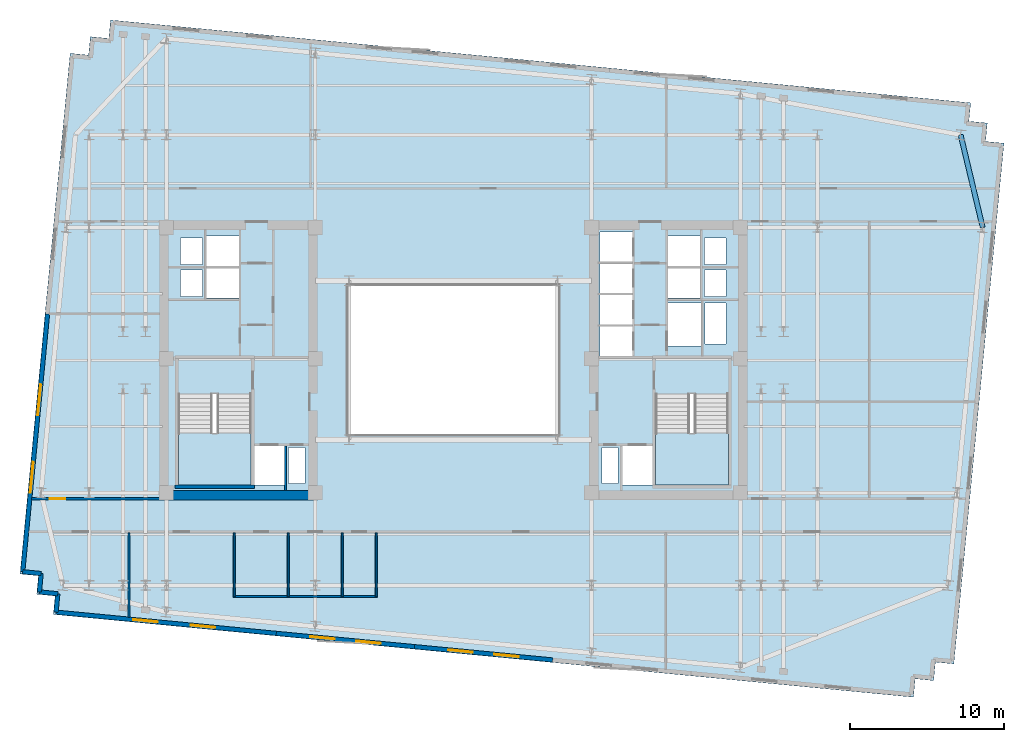
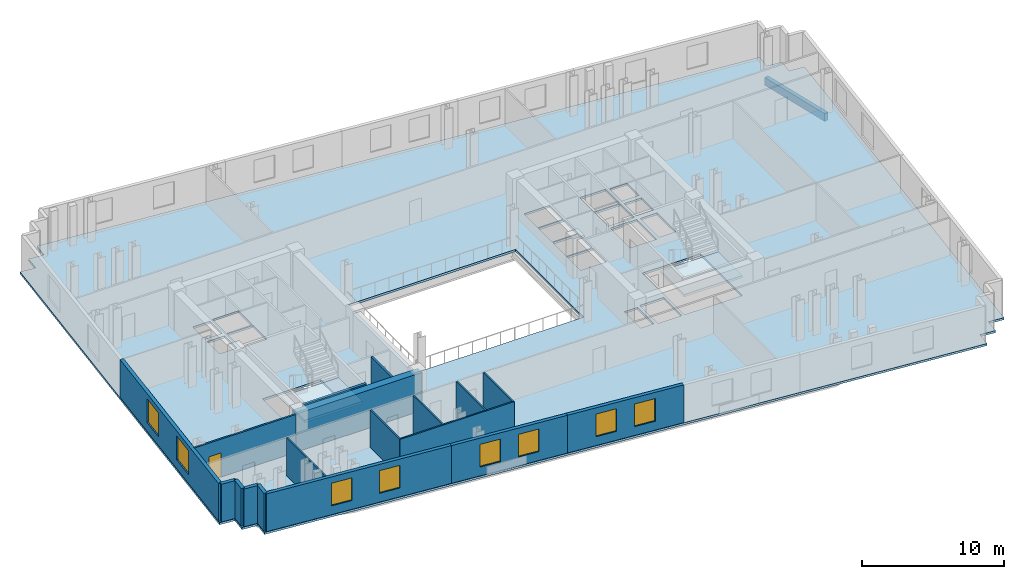
# One storey, part 3 of 9: 18 walls, 8 windows, 3 slabs, 1 beam, 1 door, 9 openings, 2 elements without a shape of their own.
"""IFC4 building model written with IfcOpenShell, lengths in metres."""

from ifc_helpers import new_model, si_unit, direction, frame, frame_2d, origin, origin_2d, place, context, subcontext, project, spatial, polyline, rectangle, outline, extrude, material, layer, layer_set, material_profile, profile_set, type_object, element, fill, aggregate, save


model = new_model("IFC4")

# Units and contexts
model_context = context("Model", 3, precision=1e-05, world=origin(), true_north=direction((0.0, 1.0)))
body_context = subcontext(model_context, "Body", "Model", "MODEL_VIEW")
ifc_project = project(units=[si_unit("LENGTHUNIT", "METRE"), si_unit("AREAUNIT", "SQUARE_METRE"), si_unit("VOLUMEUNIT", "CUBIC_METRE"), si_unit("PLANEANGLEUNIT", "RADIAN"), si_unit("MASSUNIT", "GRAM", prefix="KILO")], contexts=[model_context])

# Site, building, storey
site_placement = place(None, origin())
site = spatial("IfcSite", under=ifc_project, at=site_placement, CompositionType="ELEMENT")
building_placement = place(site_placement, origin())
building = spatial("IfcBuilding", under=site, at=building_placement, Name="Velakula Bourse", CompositionType="ELEMENT")
storey_placement = place(building_placement, frame((0.0, 0.0, 163.85009765625)))
storey = spatial("IfcBuildingStorey", under=building, at=storey_placement, Name="L44", CompositionType="ELEMENT", Elevation=163.85009765625)

# Beam
ifc_material_1 = material(Name="Precast concrete M45 (fck 45 MPa)", Category="concrete")
ifc_material_profile = material_profile(ifc_material_1, rectangle(XDim=0.320068359375, YDim=0.679931640625, at=origin_2d()), Name="Precast concrete M45 (fck 45 MPa)")
ifc_profile_set = profile_set([ifc_material_profile], Name="Precast concrete M45 (fck 45 MPa)")
beam_type = type_object("IfcBeamType", Name="SPN-BRICK-680", PredefinedType="SPANDREL", material=ifc_profile_set)
beam_placement = place(storey_placement, frame((34.30517578125, 8.60009765625, -0.52001953125), z_axis=(-0.232091371601, 0.972693988482, 0.0), x_axis=(-0.972693988482, -0.232091371601, 0.0)))
element("IfcBeam", 1, at=beam_placement, inside=storey, type_object=beam_type, Name="L44 Brick-Faced Precast Spandrel E3-E4", PredefinedType="SPANDREL", context=body_context, shape_type="SweptSolid", body=[
    extrude(rectangle(XDim=0.320068359375, YDim=0.679931640625, at=origin_2d()), origin(), (0.0, 0.0, 1.0), 6.16845703125),
])

# Stair, slab
ifc_material_2 = material(Name="Concrete M45 (fck 45 MPa)", Category="concrete")
stair_type = type_object("IfcStairType", Name="STR-DOG-390", PredefinedType="HALF_TURN_STAIR", material=ifc_material_2)
stair_1_placement = place(storey_placement, origin())
stair_1 = element("IfcStair", 2, at=stair_1_placement, inside=storey, type_object=stair_type, Name="L44 West Core Exit Stair ST-W1", PredefinedType="HALF_TURN_STAIR")
ifc_layer_1 = layer(ifc_material_2, 0.199951171875, Name="Concrete M45 (fck 45 MPa)", Category="concrete")
ifc_layer_set_1 = layer_set([ifc_layer_1], Name="Concrete M45 (fck 45 MPa)")
slab_type_1 = type_object("IfcSlabType", Name="SLB-STAIR-LND-200", PredefinedType="LANDING", material=ifc_layer_set_1)
slab_1_placement = place(storey_placement, frame((0.0, 0.0, 1.52490234375)))
slab_1 = element("IfcSlab", 3, at=slab_1_placement, type_object=slab_type_1, Name="ST-W1 landing 1", PredefinedType="LANDING", context=body_context, shape_type="SweptSolid", body=[
    extrude(outline(polyline([(-17.820068359375, -4.719970703125), (-17.820068359375, -8.10009765625), (-13.10009765625, -8.10009765625), (-13.10009765625, -4.719970703125), (-17.820068359375, -4.719970703125)])), origin(), (0.0, 0.0, 1.0), 0.199951171875),
])
aggregate(stair_1, [slab_1])

stair_2_placement = place(storey_placement, origin())
stair_2 = element("IfcStair", 4, at=stair_2_placement, inside=storey, type_object=stair_type, Name="L44 East Core Exit Stair ST-E1", PredefinedType="HALF_TURN_STAIR")
slab_2_placement = place(storey_placement, frame((0.0, 0.0, 1.52490234375)))
slab_2 = element("IfcSlab", 5, at=slab_2_placement, type_object=slab_type_1, Name="ST-E1 landing 1", PredefinedType="LANDING", context=body_context, shape_type="SweptSolid", body=[
    extrude(outline(polyline([(13.10009765625, -4.719970703125), (13.10009765625, -8.10009765625), (17.820068359375, -8.10009765625), (17.820068359375, -4.719970703125), (13.10009765625, -4.719970703125)])), origin(), (0.0, 0.0, 1.0), 0.199951171875),
])
aggregate(stair_2, [slab_2])

# Slab
ifc_material_3 = material(Name="Concrete M50 (fck 50 MPa)", Category="concrete")
ifc_layer_2 = layer(ifc_material_3, 0.179931640625, Name="Concrete M50 (fck 50 MPa)", Category="concrete")
ifc_layer_set_2 = layer_set([ifc_layer_2], Name="Concrete M50 (fck 50 MPa)")
slab_type_2 = type_object("IfcSlabType", Name="SLB-TWR-180", PredefinedType="FLOOR", material=ifc_layer_set_2)
slab_3_placement = place(storey_placement, frame((0.0, 0.0, -0.18017578125)))
element("IfcSlab", 6, at=slab_3_placement, inside=storey, type_object=slab_type_2, Name="L44 Suspended Structural Floor Slab", PredefinedType="FLOOR", context=body_context, shape_type="SweptSolid", body=[
    extrude(outline(polyline([(-25.92578125, -16.477294921875), (29.81640625, -21.844482421875), (29.931396484375, -20.650146484375), (31.1259765625, -20.76513671875), (31.240966796875, -19.570556640625), (32.435546875, -19.685791015625), (35.6845703125, 14.058349609375), (34.490234375, 14.17333984375), (34.605224609375, 15.36767578125), (33.41064453125, 15.482666015625), (33.525634765625, 16.67724609375), (-22.216552734375, 22.044677734375), (-22.33154296875, 20.85009765625), (-23.52587890625, 20.965087890625), (-23.640869140625, 19.770751953125), (-24.83544921875, 19.8857421875), (-28.084716796875, -13.858154296875), (-26.89013671875, -13.973388671875), (-27.005126953125, -15.167724609375), (-25.810791015625, -15.28271484375), (-25.92578125, -16.477294921875)]), holes=[polyline([(-17.820068359375, -8.10009765625), (-13.10009765625, -8.10009765625), (-13.10009765625, -2.199951171875), (-17.820068359375, -2.199951171875), (-17.820068359375, -8.10009765625)]), polyline([(13.10009765625, -8.10009765625), (17.820068359375, -8.10009765625), (17.820068359375, -2.199951171875), (13.10009765625, -2.199951171875), (13.10009765625, -8.10009765625)]), polyline([(-12.89990234375, -8.10009765625), (-10.949951171875, -8.10009765625), (-10.949951171875, -5.550048828125), (-12.89990234375, -5.550048828125), (-12.89990234375, -8.10009765625)]), polyline([(10.949951171875, -8.10009765625), (12.89990234375, -8.10009765625), (12.89990234375, -5.550048828125), (10.949951171875, -5.550048828125), (10.949951171875, -8.10009765625)]), polyline([(13.89990234375, 0.919921875), (16.050048828125, 0.919921875), (16.050048828125, 3.719970703125), (13.89990234375, 3.719970703125), (13.89990234375, 0.919921875)]), polyline([(-10.679931640625, -7.97998046875), (-9.6201171875, -7.97998046875), (-9.6201171875, -5.669921875), (-10.679931640625, -5.669921875), (-10.679931640625, -7.97998046875)]), polyline([(-17.679931640625, 4.139892578125), (-16.27001953125, 4.139892578125), (-16.27001953125, 5.85009765625), (-17.679931640625, 5.85009765625), (-17.679931640625, 4.139892578125)]), polyline([(-17.679931640625, 6.2099609375), (-16.27001953125, 6.2099609375), (-16.27001953125, 7.919921875), (-17.679931640625, 7.919921875), (-17.679931640625, 6.2099609375)]), polyline([(9.6201171875, -7.97998046875), (10.679931640625, -7.97998046875), (10.679931640625, -5.669921875), (9.6201171875, -5.669921875), (9.6201171875, -7.97998046875)]), polyline([(16.27001953125, 4.139892578125), (17.679931640625, 4.139892578125), (17.679931640625, 5.85009765625), (16.27001953125, 5.85009765625), (16.27001953125, 4.139892578125)]), polyline([(16.27001953125, 6.2099609375), (17.679931640625, 6.2099609375), (17.679931640625, 7.919921875), (16.27001953125, 7.919921875), (16.27001953125, 6.2099609375)]), polyline([(16.320068359375, 1.0400390625), (17.679931640625, 1.0400390625), (17.679931640625, 3.699951171875), (16.320068359375, 3.699951171875), (16.320068359375, 1.0400390625)]), polyline([(9.5, 0.280029296875), (11.60009765625, 0.280029296875), (11.60009765625, 2.199951171875), (9.5, 2.199951171875), (9.5, 0.280029296875)]), polyline([(9.5, 2.31005859375), (11.60009765625, 2.31005859375), (11.60009765625, 4.22998046875), (9.5, 4.22998046875), (9.5, 2.31005859375)]), polyline([(9.5, 4.340087890625), (11.60009765625, 4.340087890625), (11.60009765625, 6.260009765625), (9.5, 6.260009765625), (9.5, 4.340087890625)]), polyline([(9.5, 6.3701171875), (11.60009765625, 6.3701171875), (11.60009765625, 8.2900390625), (9.5, 8.2900390625), (9.5, 6.3701171875)]), polyline([(-16.0, 4.02001953125), (-13.89990234375, 4.02001953125), (-13.89990234375, 5.969970703125), (-16.0, 5.969970703125), (-16.0, 4.02001953125)]), polyline([(-16.0, 6.090087890625), (-13.89990234375, 6.090087890625), (-13.89990234375, 8.0400390625), (-16.0, 8.0400390625), (-16.0, 6.090087890625)]), polyline([(13.89990234375, 4.02001953125), (16.0, 4.02001953125), (16.0, 5.969970703125), (13.89990234375, 5.969970703125), (13.89990234375, 4.02001953125)]), polyline([(13.89990234375, 6.090087890625), (16.0, 6.090087890625), (16.0, 8.0400390625), (13.89990234375, 8.0400390625), (13.89990234375, 6.090087890625)]), polyline([(-6.800048828125, -4.800048828125), (6.800048828125, -4.800048828125), (6.800048828125, 4.800048828125), (-6.800048828125, 4.800048828125), (-6.800048828125, -4.800048828125)])]), origin(), (0.0, 0.0, 1.0), 0.18017578125),
])

# Walls
ifc_layer_3 = layer(ifc_material_3, 0.2099609375, Name="Concrete M50 (fck 50 MPa)", Category="concrete")
ifc_layer_set_3 = layer_set([ifc_layer_3], Name="Concrete M50 (fck 50 MPa)")
wall_type_1 = type_object("IfcWallType", Name="WL-CORE-210", PredefinedType="SHEAR", material=ifc_layer_set_3)
wall_1_placement = place(storey_placement, frame((-18.030029296875, -8.205078125, 0.0), z_axis=(0.0, 0.0, 1.0), x_axis=(1.0, 0.0, 0.0)))
element("IfcWall", 7, at=wall_1_placement, inside=storey, type_object=wall_type_1, Name="L44 Core W Stairwell Shear Wall S", PredefinedType="SHEAR", context=body_context, shape_type="SweptSolid", body=[
    extrude(rectangle(XDim=5.14013671875, YDim=0.2099609375, at=frame_2d((2.570068359375, 0.0))), origin(), (0.0, 0.0, 1.0), 3.27001953125),
])
ifc_material_4 = material(Name="Concrete M70 (fck 70 MPa)", Category="concrete")
ifc_layer_4 = layer(ifc_material_4, 0.60009765625, Name="Concrete M70 (fck 70 MPa)", Category="concrete")
ifc_layer_set_4 = layer_set([ifc_layer_4], Name="Concrete M70 (fck 70 MPa)")
wall_type_2 = type_object("IfcWallType", Name="WL-CORE-600", PredefinedType="SHEAR", material=ifc_layer_set_4)
wall_2_placement = place(storey_placement, frame((-19.050048828125, -8.75, 0.0), z_axis=(0.0, 0.0, 1.0), x_axis=(1.0, 0.0, 0.0)))
element("IfcWall", 8, at=wall_2_placement, inside=storey, type_object=wall_type_2, Name="L44 Core W Shear Wall S", PredefinedType="SHEAR", context=body_context, shape_type="SweptSolid", body=[
    extrude(rectangle(XDim=10.25, YDim=0.60009765625, at=frame_2d((5.125, 0.0))), origin(), (0.0, 0.0, 1.0), 3.27001953125),
])

# Wall, openings, windows
ifc_material_5 = material(Name="Red kilned clay facing brick masonry", Category="masonry")
ifc_layer_5 = layer(ifc_material_5, 0.280029296875, Name="Red kilned clay facing brick masonry", Category="masonry")
ifc_layer_set_5 = layer_set([ifc_layer_5], Name="Red kilned clay facing brick masonry")
wall_type_3 = type_object("IfcWallType", Name="WL-EXT-BRK-280", PredefinedType="STANDARD", material=ifc_layer_set_5)
wall_3_placement = place(storey_placement, frame((-11.47705078125, -17.707763671875, 0.0), z_axis=(0.0, 0.0, 1.0), x_axis=(-0.995395762701, 0.095850276977, 0.0)))
wall_3 = element("IfcWall", 9, at=wall_3_placement, inside=storey, type_object=wall_type_3, Name="L44 S Brick Spandrel Wall B1", PredefinedType="STANDARD", context=body_context, shape_type="SweptSolid", body=[
    extrude(rectangle(XDim=14.340087890625, YDim=0.280029296875, at=frame_2d((7.169921875, 0.0))), origin(), (0.0, 0.0, 1.0), 3.25),
])
opening_1_placement = place(wall_3_placement, frame((3.97998046875, 0.0, 0.760009765625)))
opening_1 = element("IfcOpeningElement", 10, at=opening_1_placement, cuts=wall_3, Name="Opening W-02", PredefinedType="OPENING", context=body_context, shape_type="SweptSolid", body=[
    extrude(rectangle(XDim=1.60009765625, YDim=1.949951171875, at=frame_2d((0.800048828125, 0.97509765625))), frame((0.0, 0.14990234375, 0.0), z_axis=(0.0, -1.0, 0.0), x_axis=(1.0, 0.0, 0.0)), (0.0, 0.0, 1.0), 0.300048828125),
])
opening_2_placement = place(wall_3_placement, frame((7.7099609375, 0.0, 0.760009765625)))
opening_2 = element("IfcOpeningElement", 11, at=opening_2_placement, cuts=wall_3, Name="Opening W-02", PredefinedType="OPENING", context=body_context, shape_type="SweptSolid", body=[
    extrude(rectangle(XDim=1.60009765625, YDim=1.949951171875, at=frame_2d((0.800048828125, 0.97509765625))), frame((0.0, 0.14990234375, 0.0), z_axis=(0.0, -1.0, 0.0), x_axis=(1.0, 0.0, 0.0)), (0.0, 0.0, 1.0), 0.300048828125),
])
ifc_material_6 = material(Name="Double-glazed solar-control Low-E glass", Category="glass")
window_type_1 = type_object("IfcWindowType", Name="WIN-TWR-1600x2100", PartitioningType="SINGLE_PANEL", PredefinedType="WINDOW", material=ifc_material_6)
window_1_placement = place(opening_1_placement, origin())
window_1 = element("IfcWindow", 12, at=window_1_placement, inside=storey, type_object=window_type_1, Name="L44 Deep-Set Recessed Window 1", OverallHeight=1.949951171875, OverallWidth=1.60009765625, PartitioningType="SINGLE_PANEL", PredefinedType="WINDOW", context=body_context, shape_type="SweptSolid", body=[
    extrude(rectangle(XDim=1.60009765625, YDim=1.949951171875, at=frame_2d((0.800048828125, 0.97509765625))), frame((0.0, 0.030029296875, 0.0), z_axis=(0.0, -1.0, 0.0), x_axis=(1.0, 0.0, 0.0)), (0.0, 0.0, 1.0), 0.06005859375),
])
fill(opening_1, window_1)
window_2_placement = place(opening_2_placement, origin())
window_2 = element("IfcWindow", 13, at=window_2_placement, inside=storey, type_object=window_type_1, Name="L44 Deep-Set Recessed Window 2", OverallHeight=1.949951171875, OverallWidth=1.60009765625, PartitioningType="SINGLE_PANEL", PredefinedType="WINDOW", context=body_context, shape_type="SweptSolid", body=[
    extrude(rectangle(XDim=1.60009765625, YDim=1.949951171875, at=frame_2d((0.800048828125, 0.97509765625))), frame((0.0, 0.030029296875, 0.0), z_axis=(0.0, -1.0, 0.0), x_axis=(1.0, 0.0, 0.0)), (0.0, 0.0, 1.0), 0.06005859375),
])
fill(opening_2, window_2)

wall_4_placement = place(storey_placement, frame((-2.5185546875, -18.5703125, 0.0), z_axis=(0.0, 0.0, 1.0), x_axis=(-0.995396794462, 0.09583956164, 0.0)))
wall_4 = element("IfcWall", 14, at=wall_4_placement, inside=storey, type_object=wall_type_3, Name="L44 S Brick Spandrel Wall B2", PredefinedType="STANDARD", context=body_context, shape_type="SweptSolid", body=[
    extrude(rectangle(XDim=9.0, YDim=0.280029296875, at=frame_2d((4.5, 0.0))), origin(), (0.0, 0.0, 1.0), 3.25),
])
opening_3_placement = place(wall_4_placement, frame((2.199951171875, 0.0, 0.760009765625)))
opening_3 = element("IfcOpeningElement", 15, at=opening_3_placement, cuts=wall_4, Name="Opening W-02", PredefinedType="OPENING", context=body_context, shape_type="SweptSolid", body=[
    extrude(rectangle(XDim=1.60009765625, YDim=1.949951171875, at=frame_2d((0.800048828125, 0.97509765625))), frame((0.0, 0.14990234375, 0.0), z_axis=(0.0, -1.0, 0.0), x_axis=(1.0, 0.0, 0.0)), (0.0, 0.0, 1.0), 0.300048828125),
])
opening_4_placement = place(wall_4_placement, frame((5.199951171875, 0.0, 0.760009765625)))
opening_4 = element("IfcOpeningElement", 16, at=opening_4_placement, cuts=wall_4, Name="Opening W-02", PredefinedType="OPENING", context=body_context, shape_type="SweptSolid", body=[
    extrude(rectangle(XDim=1.60009765625, YDim=1.949951171875, at=frame_2d((0.800048828125, 0.97509765625))), frame((0.0, 0.14990234375, 0.0), z_axis=(0.0, -1.0, 0.0), x_axis=(1.0, 0.0, 0.0)), (0.0, 0.0, 1.0), 0.300048828125),
])
window_3_placement = place(opening_3_placement, origin())
window_3 = element("IfcWindow", 17, at=window_3_placement, inside=storey, type_object=window_type_1, Name="L44 Deep-Set Recessed Window 1", OverallHeight=1.949951171875, OverallWidth=1.60009765625, PartitioningType="SINGLE_PANEL", PredefinedType="WINDOW", context=body_context, shape_type="SweptSolid", body=[
    extrude(rectangle(XDim=1.60009765625, YDim=1.949951171875, at=frame_2d((0.800048828125, 0.97509765625))), frame((0.0, 0.030029296875, 0.0), z_axis=(0.0, -1.0, 0.0), x_axis=(1.0, 0.0, 0.0)), (0.0, 0.0, 1.0), 0.06005859375),
])
fill(opening_3, window_3)
window_4_placement = place(opening_4_placement, origin())
window_4 = element("IfcWindow", 18, at=window_4_placement, inside=storey, type_object=window_type_1, Name="L44 Deep-Set Recessed Window 2", OverallHeight=1.949951171875, OverallWidth=1.60009765625, PartitioningType="SINGLE_PANEL", PredefinedType="WINDOW", context=body_context, shape_type="SweptSolid", body=[
    extrude(rectangle(XDim=1.60009765625, YDim=1.949951171875, at=frame_2d((0.800048828125, 0.97509765625))), frame((0.0, 0.030029296875, 0.0), z_axis=(0.0, -1.0, 0.0), x_axis=(1.0, 0.0, 0.0)), (0.0, 0.0, 1.0), 0.06005859375),
])
fill(opening_4, window_4)

wall_5_placement = place(storey_placement, frame((6.43994140625, -19.432861328125, 0.0), z_axis=(0.0, 0.0, 1.0), x_axis=(-0.995396794462, 0.09583956164, 0.0)))
wall_5 = element("IfcWall", 19, at=wall_5_placement, inside=storey, type_object=wall_type_3, Name="L44 S Brick Spandrel Wall B3", PredefinedType="STANDARD", context=body_context, shape_type="SweptSolid", body=[
    extrude(rectangle(XDim=9.0, YDim=0.280029296875, at=frame_2d((4.5, 0.0))), origin(), (0.0, 0.0, 1.0), 3.25),
])
opening_5_placement = place(wall_5_placement, frame((2.199951171875, 0.0, 0.760009765625)))
opening_5 = element("IfcOpeningElement", 20, at=opening_5_placement, cuts=wall_5, Name="Opening W-02", PredefinedType="OPENING", context=body_context, shape_type="SweptSolid", body=[
    extrude(rectangle(XDim=1.60009765625, YDim=1.949951171875, at=frame_2d((0.800048828125, 0.97509765625))), frame((0.0, 0.14990234375, 0.0), z_axis=(0.0, -1.0, 0.0), x_axis=(1.0, 0.0, 0.0)), (0.0, 0.0, 1.0), 0.300048828125),
])
opening_6_placement = place(wall_5_placement, frame((5.199951171875, 0.0, 0.760009765625)))
opening_6 = element("IfcOpeningElement", 21, at=opening_6_placement, cuts=wall_5, Name="Opening W-02", PredefinedType="OPENING", context=body_context, shape_type="SweptSolid", body=[
    extrude(rectangle(XDim=1.60009765625, YDim=1.949951171875, at=frame_2d((0.800048828125, 0.97509765625))), frame((0.0, 0.14990234375, 0.0), z_axis=(0.0, -1.0, 0.0), x_axis=(1.0, 0.0, 0.0)), (0.0, 0.0, 1.0), 0.300048828125),
])
window_5_placement = place(opening_5_placement, origin())
window_5 = element("IfcWindow", 22, at=window_5_placement, inside=storey, type_object=window_type_1, Name="L44 Deep-Set Recessed Window 1", OverallHeight=1.949951171875, OverallWidth=1.60009765625, PartitioningType="SINGLE_PANEL", PredefinedType="WINDOW", context=body_context, shape_type="SweptSolid", body=[
    extrude(rectangle(XDim=1.60009765625, YDim=1.949951171875, at=frame_2d((0.800048828125, 0.97509765625))), frame((0.0, 0.030029296875, 0.0), z_axis=(0.0, -1.0, 0.0), x_axis=(1.0, 0.0, 0.0)), (0.0, 0.0, 1.0), 0.06005859375),
])
fill(opening_5, window_5)
window_6_placement = place(opening_6_placement, origin())
window_6 = element("IfcWindow", 23, at=window_6_placement, inside=storey, type_object=window_type_1, Name="L44 Deep-Set Recessed Window 2", OverallHeight=1.949951171875, OverallWidth=1.60009765625, PartitioningType="SINGLE_PANEL", PredefinedType="WINDOW", context=body_context, shape_type="SweptSolid", body=[
    extrude(rectangle(XDim=1.60009765625, YDim=1.949951171875, at=frame_2d((0.800048828125, 0.97509765625))), frame((0.0, 0.030029296875, 0.0), z_axis=(0.0, -1.0, 0.0), x_axis=(1.0, 0.0, 0.0)), (0.0, 0.0, 1.0), 0.06005859375),
])
fill(opening_6, window_6)

wall_6_placement = place(storey_placement, frame((-27.909912109375, -13.71435546875, 0.0), z_axis=(0.0, 0.0, 1.0), x_axis=(0.095839027265, 0.995396845913, 0.0)))
wall_6 = element("IfcWall", 24, at=wall_6_placement, inside=storey, type_object=wall_type_3, Name="L44 W Brick End Wall W1", PredefinedType="STANDARD", context=body_context, shape_type="SweptSolid", body=[
    extrude(rectangle(XDim=16.7900390625, YDim=0.280029296875, at=frame_2d((8.39501953125, 0.0))), origin(), (0.0, 0.0, 1.0), 3.25),
])
opening_7_placement = place(wall_6_placement, frame((5.146728515625, 0.0, 0.760009765625)))
opening_7 = element("IfcOpeningElement", 25, at=opening_7_placement, cuts=wall_6, Name="Opening W-05", PredefinedType="OPENING", context=body_context, shape_type="SweptSolid", body=[
    extrude(rectangle(XDim=2.0, YDim=2.050048828125, at=frame_2d((1.0, 1.02490234375))), frame((0.0, 0.14990234375, 0.0), z_axis=(0.0, -1.0, 0.0), x_axis=(1.0, 0.0, 0.0)), (0.0, 0.0, 1.0), 0.300048828125),
])
opening_8_placement = place(wall_6_placement, frame((10.193359375, 0.0, 0.760009765625)))
opening_8 = element("IfcOpeningElement", 26, at=opening_8_placement, cuts=wall_6, Name="Opening W-05", PredefinedType="OPENING", context=body_context, shape_type="SweptSolid", body=[
    extrude(rectangle(XDim=2.0, YDim=2.050048828125, at=frame_2d((1.0, 1.02490234375))), frame((0.0, 0.14990234375, 0.0), z_axis=(0.0, -1.0, 0.0), x_axis=(1.0, 0.0, 0.0)), (0.0, 0.0, 1.0), 0.300048828125),
])
window_type_2 = type_object("IfcWindowType", Name="WIN-TWR-2000x2200", PartitioningType="DOUBLE_PANEL_VERTICAL", PredefinedType="WINDOW", material=ifc_material_6)
window_7_placement = place(opening_7_placement, origin())
window_7 = element("IfcWindow", 27, at=window_7_placement, inside=storey, type_object=window_type_2, Name="L44 Deep-Set Recessed Window 1", OverallHeight=2.050048828125, OverallWidth=2.0, PartitioningType="DOUBLE_PANEL_VERTICAL", PredefinedType="WINDOW", context=body_context, shape_type="SweptSolid", body=[
    extrude(rectangle(XDim=2.0, YDim=2.050048828125, at=frame_2d((1.0, 1.02490234375))), frame((0.0, 0.030029296875, 0.0), z_axis=(0.0, -1.0, 0.0), x_axis=(1.0, 0.0, 0.0)), (0.0, 0.0, 1.0), 0.06005859375),
])
fill(opening_7, window_7)
window_8_placement = place(opening_8_placement, origin())
window_8 = element("IfcWindow", 28, at=window_8_placement, inside=storey, type_object=window_type_2, Name="L44 Deep-Set Recessed Window 2", OverallHeight=2.050048828125, OverallWidth=2.0, PartitioningType="DOUBLE_PANEL_VERTICAL", PredefinedType="WINDOW", context=body_context, shape_type="SweptSolid", body=[
    extrude(rectangle(XDim=2.0, YDim=2.050048828125, at=frame_2d((1.0, 1.02490234375))), frame((0.0, 0.030029296875, 0.0), z_axis=(0.0, -1.0, 0.0), x_axis=(1.0, 0.0, 0.0)), (0.0, 0.0, 1.0), 0.06005859375),
])
fill(opening_8, window_8)

# Walls
wall_7_placement = place(storey_placement, frame((-27.909912109375, -13.71435546875, 0.0), z_axis=(0.0, 0.0, 1.0), x_axis=(0.995397091755, -0.095836473879, 0.0)))
element("IfcWall", 29, at=wall_7_placement, inside=storey, type_object=wall_type_3, Name="L44 Serrated Corner Brick Wall SW-1", PredefinedType="STANDARD", context=body_context, shape_type="SweptSolid", body=[
    extrude(rectangle(XDim=1.199951171875, YDim=0.280029296875, at=frame_2d((0.60009765625, 0.0))), origin(), (0.0, 0.0, 1.0), 3.25),
])
for number, where, z_axis, x_axis, name in (
    (30, (-26.715576171875, -13.829345703125, 0.0), (0.0, 0.0, 1.0), (-0.095817067274, -0.995398960025, 0.0), "L44 Serrated Corner Brick Wall SW-2"),
    (31, (-26.83056640625, -15.02392578125, 0.0), (0.0, 0.0, 1.0), (0.995398960025, -0.095817067274, 0.0), "L44 Serrated Corner Brick Wall SW-3"),
):
    element("IfcWall", number, at=place(storey_placement, frame(where, z_axis=z_axis, x_axis=x_axis)), inside=storey, type_object=wall_type_3, Name=name, PredefinedType="STANDARD", context=body_context, shape_type="SweptSolid", body=[
        extrude(rectangle(XDim=1.2001953125, YDim=0.280029296875, at=frame_2d((0.60009765625, 0.0))), origin(), (0.0, 0.0, 1.0), 3.25),
    ])
wall_8_placement = place(storey_placement, frame((-25.635986328125, -15.138916015625, 0.0), z_axis=(0.0, 0.0, 1.0), x_axis=(-0.096038073607, -0.995377661201, 0.0)))
element("IfcWall", 32, at=wall_8_placement, inside=storey, type_object=wall_type_3, Name="L44 Serrated Corner Brick Wall SW-4", PredefinedType="STANDARD", context=body_context, shape_type="SweptSolid", body=[
    extrude(rectangle(XDim=1.199951171875, YDim=0.280029296875, at=frame_2d((0.60009765625, 0.0))), origin(), (0.0, 0.0, 1.0), 3.25),
])
ifc_material_7 = material(Name="Fire-rated double-layer gypsum drywall partition", Category="gypsum")
ifc_layer_6 = layer(ifc_material_7, 0.1201171875, Name="Fire-rated double-layer gypsum drywall partition", Category="gypsum")
ifc_layer_set_6 = layer_set([ifc_layer_6], Name="Fire-rated double-layer gypsum drywall partition")
wall_type_4 = type_object("IfcWallType", Name="WL-PART-120", PredefinedType="STANDARD", material=ifc_layer_set_6)
wall_9_placement = place(storey_placement, frame((-14.260009765625, -15.320068359375, 0.0), z_axis=(0.0, 0.0, 1.0), x_axis=(1.0, 0.0, 0.0)))
element("IfcWall", 33, at=wall_9_placement, inside=storey, type_object=wall_type_4, Name="L44 Interior Partition WL-WC-L44-BACK", PredefinedType="STANDARD", context=body_context, shape_type="SweptSolid", body=[
    extrude(rectangle(XDim=9.320068359375, YDim=0.1201171875, at=frame_2d((4.66015625, 0.0))), origin(), (0.0, 0.0, 1.0), 3.25),
])
for number, where, z_axis, x_axis, name in (
    (34, (-14.199951171875, -15.320068359375, 0.0), (0.0, 0.0, 1.0), (0.0, 1.0, 0.0), "L44 Interior Partition WL-WC-L44-V1"),
    (35, (-10.699951171875, -15.320068359375, 0.0), (0.0, 0.0, 1.0), (0.0, 1.0, 0.0), "L44 Interior Partition WL-WC-L44-V2"),
    (36, (-7.199951171875, -15.320068359375, 0.0), (0.0, 0.0, 1.0), (0.0, 1.0, 0.0), "L44 Interior Partition WL-WC-L44-V3"),
    (37, (-5.0, -15.320068359375, 0.0), (0.0, 0.0, 1.0), (0.0, 1.0, 0.0), "L44 Interior Partition WL-WC-L44-V4"),
):
    element("IfcWall", number, at=place(storey_placement, frame(where, z_axis=z_axis, x_axis=x_axis)), inside=storey, type_object=wall_type_4, Name=name, PredefinedType="STANDARD", context=body_context, shape_type="SweptSolid", body=[
        extrude(rectangle(XDim=4.130126953125, YDim=0.1201171875, at=frame_2d((2.06494140625, 0.0))), origin(), (0.0, 0.0, 1.0), 3.25),
    ])
wall_10_placement = place(storey_placement, frame((-21.02392578125, -16.66796875, 0.0), z_axis=(0.0, 0.0, 1.0), x_axis=(0.0, 1.0, 0.0)))
element("IfcWall", 38, at=wall_10_placement, inside=storey, type_object=wall_type_4, Name="L44 Interior Partition WL-INT-L44-SL-D5", PredefinedType="STANDARD", context=body_context, shape_type="SweptSolid", body=[
    extrude(rectangle(XDim=5.47802734375, YDim=0.1201171875, at=frame_2d((2.739013671875, 0.0))), origin(), (0.0, 0.0, 1.0), 3.25),
])

# Wall, opening, door
ifc_layer_7 = layer(ifc_material_7, 0.139892578125, Name="Fire-rated double-layer gypsum drywall partition", Category="gypsum")
ifc_layer_set_7 = layer_set([ifc_layer_7], Name="Fire-rated double-layer gypsum drywall partition")
wall_type_5 = type_object("IfcWallType", Name="WL-PART-140", PredefinedType="STANDARD", material=ifc_layer_set_7)
wall_11_placement = place(storey_placement, frame((-27.33349609375, -8.97998046875, 0.0), z_axis=(0.0, 0.0, 1.0), x_axis=(1.0, 0.0, 0.0)))
wall_11 = element("IfcWall", 39, at=wall_11_placement, inside=storey, type_object=wall_type_5, Name="L44 Interior Partition WL-INT-L44-W-SC", PredefinedType="STANDARD", context=body_context, shape_type="SweptSolid", body=[
    extrude(rectangle(XDim=8.283447265625, YDim=0.139892578125, at=frame_2d((4.1416015625, 0.0))), origin(), (0.0, 0.0, 1.0), 3.25),
])
opening_9_placement = place(wall_11_placement, frame((1.17724609375, 0.0, 0.0)))
opening_9 = element("IfcOpeningElement", 40, at=opening_9_placement, cuts=wall_11, Name="Opening D-OF1", PredefinedType="OPENING", context=body_context, shape_type="SweptSolid", body=[
    extrude(rectangle(XDim=1.0, YDim=2.080078125, at=frame_2d((0.5, 1.0400390625))), frame((0.0, 0.079833984375, 0.0), z_axis=(0.0, -1.0, 0.0), x_axis=(1.0, 0.0, 0.0)), (0.0, 0.0, 1.0), 0.159912109375),
])
ifc_material_8 = material(Name="Fire-rated hardwood flush architectural door", Category="wood")
door_type = type_object("IfcDoorType", Name="DR-OFF-1000", OperationType="NOTDEFINED", PredefinedType="DOOR", material=ifc_material_8)
door_placement = place(opening_9_placement, origin())
door = element("IfcDoor", 41, at=door_placement, inside=storey, type_object=door_type, Name="L44 Algorithmic Dealing Workspace Door", OperationType="SINGLE_SWING_RIGHT", OverallHeight=2.080078125, OverallWidth=1.0, PredefinedType="DOOR", context=body_context, shape_type="SweptSolid", body=[
    extrude(rectangle(XDim=1.0, YDim=2.080078125, at=frame_2d((0.5, 1.0400390625))), frame((0.0, 0.02490234375, 0.0), z_axis=(0.0, -1.0, 0.0), x_axis=(1.0, 0.0, 0.0)), (0.0, 0.0, 1.0), 0.050048828125),
])
fill(opening_9, door)

# Wall
ifc_material_9 = material(Name="Autoclaved aerated concrete blockwork masonry", Category="masonry")
ifc_layer_8 = layer(ifc_material_9, 0.14990234375, Name="Autoclaved aerated concrete blockwork masonry", Category="masonry")
ifc_layer_set_8 = layer_set([ifc_layer_8], Name="Autoclaved aerated concrete blockwork masonry")
wall_type_6 = type_object("IfcWallType", Name="WL-SHAFT-150", PredefinedType="STANDARD", material=ifc_layer_set_8)
wall_12_placement = place(storey_placement, frame((-10.875, -8.449951171875, 0.0), z_axis=(0.0, 0.0, 1.0), x_axis=(0.0, 1.0, 0.0)))
element("IfcWall", 42, at=wall_12_placement, inside=storey, type_object=wall_type_6, Name="L44 Interior Partition WL-CRW-L44-FR-DIV", PredefinedType="STANDARD", context=body_context, shape_type="SweptSolid", body=[
    extrude(rectangle(XDim=2.89990234375, YDim=0.14990234375, at=frame_2d((1.449951171875, 0.0))), origin(), (0.0, 0.0, 1.0), 3.25),
])

save(model, "model.ifc")
